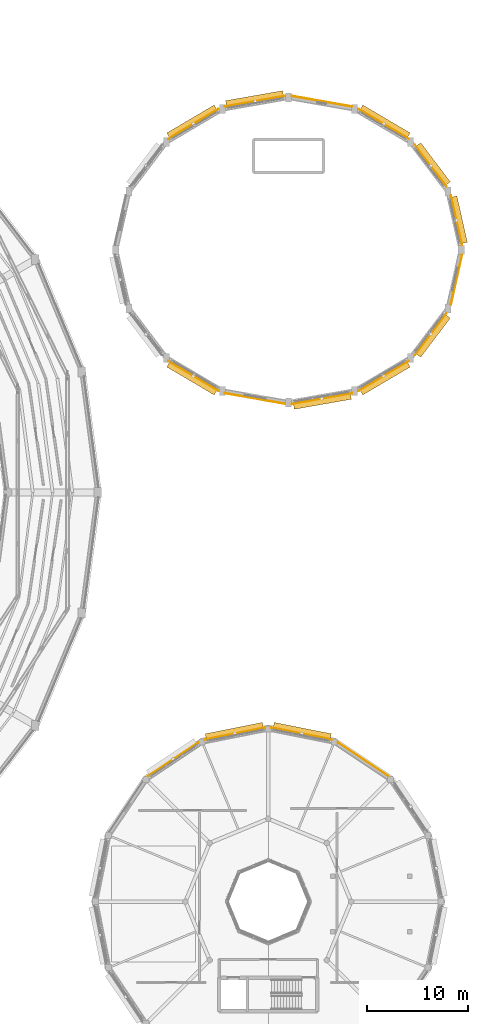
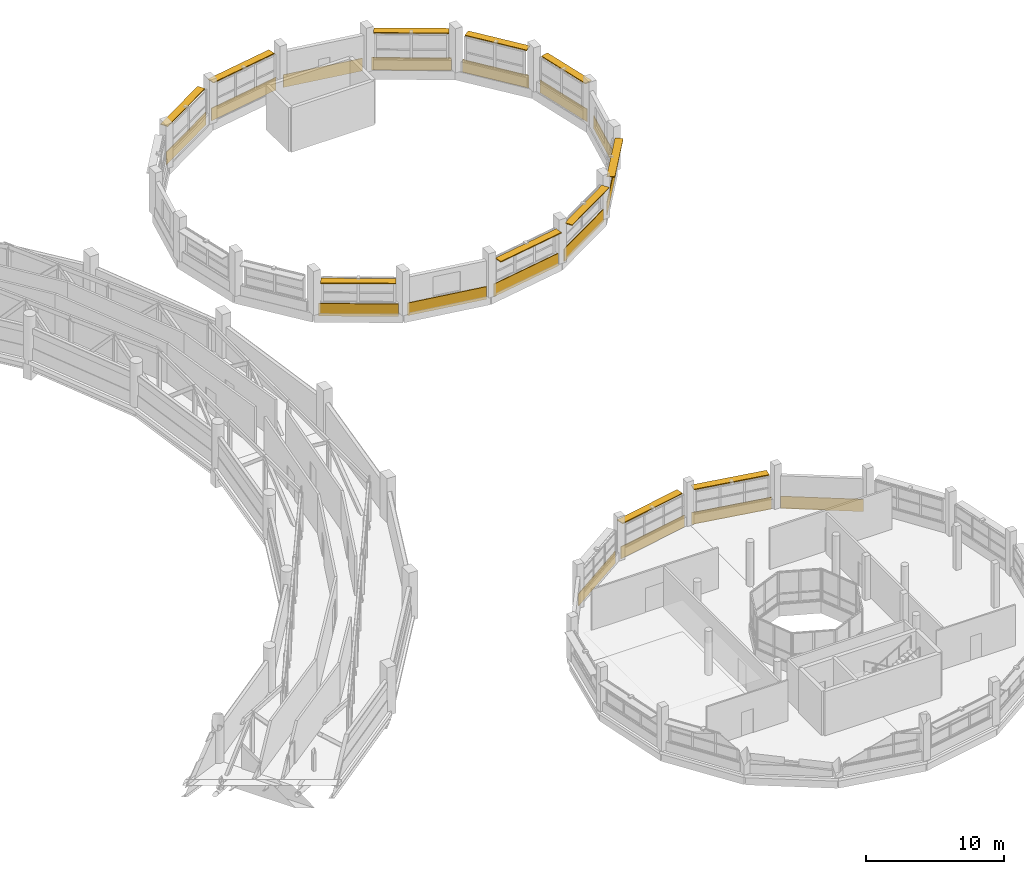
# One storey, part 121 of 121: 16 coverings, 11 shading devices.
"""IFC4 building model written with IfcOpenShell, lengths in metres."""

from ifc_helpers import new_model, si_unit, direction, frame, frame_2d, origin, origin_2d, place, context, subcontext, project, spatial, rectangle, extrude, material, layer, layer_set, type_object, element, save


model = new_model("IFC4")

# Units and contexts
model_context = context("Model", 3, precision=1e-05, world=origin(), true_north=direction((0.0, 1.0)))
body_context = subcontext(model_context, "Body", "Model", "MODEL_VIEW")
ifc_project = project(units=[si_unit("LENGTHUNIT", "METRE"), si_unit("AREAUNIT", "SQUARE_METRE"), si_unit("VOLUMEUNIT", "CUBIC_METRE"), si_unit("PLANEANGLEUNIT", "RADIAN"), si_unit("MASSUNIT", "GRAM", prefix="KILO")], contexts=[model_context])

# Site, building, storey
site_placement = place(None, origin())
site = spatial("IfcSite", under=ifc_project, at=site_placement, CompositionType="ELEMENT")
building_placement = place(site_placement, origin())
building = spatial("IfcBuilding", under=site, at=building_placement, Name="Vespera Passage Community Centre", CompositionType="ELEMENT")
storey_placement = place(building_placement, frame((0.0, 0.0, 8.699951171875)))
storey = spatial("IfcBuildingStorey", under=building, at=storey_placement, Name="L02", CompositionType="ELEMENT", Elevation=8.699951171875)

# Coverings
ifc_material_1 = material(Name="Precast concrete f'c 40 MPa", Category="concrete")
ifc_layer = layer(ifc_material_1, 0.06005859375)
ifc_layer_set = layer_set([ifc_layer], Name="Precast concrete f'c 40 MPa")
covering_type = type_object("IfcCoveringType", Name="COV-CLAD-60E", PredefinedType="CLADDING", material=ifc_layer_set)
covering_1_placement = place(storey_placement, frame((159.07958984375, 94.894775390625, -0.260009765625), z_axis=(0.0, 0.0, 1.0), x_axis=(0.219734171438, -0.975559784894, 0.0)))
element("IfcCovering", 1, at=covering_1_placement, inside=storey, type_object=covering_type, Name="V2 L02 White Spandrel Band 1", PredefinedType="CLADDING", context=body_context, shape_type="SweptSolid", body=[
    extrude(rectangle(XDim=5.051025390625, YDim=0.06005859375, at=frame_2d((2.525390625, 0.0))), origin(), (0.0, 0.0, 1.0), 1.110107421875),
])
covering_2_placement = place(storey_placement, frame((155.52783203125, 99.915283203125, -0.260009765625), z_axis=(0.0, 0.0, 1.0), x_axis=(0.603398282319, -0.797439974477, 0.0)))
element("IfcCovering", 2, at=covering_2_placement, inside=storey, type_object=covering_type, Name="V2 L02 White Spandrel Band 2", PredefinedType="CLADDING", context=body_context, shape_type="SweptSolid", body=[
    extrude(rectangle(XDim=5.19873046875, YDim=0.06005859375, at=frame_2d((2.599365234375, 0.0))), origin(), (0.0, 0.0, 1.0), 1.110107421875),
])
covering_3_placement = place(storey_placement, frame((149.9189453125, 103.449951171875, -0.260009765625), z_axis=(0.0, 0.0, 1.0), x_axis=(0.861246761334, -0.508186989297, 0.0)))
element("IfcCovering", 3, at=covering_3_placement, inside=storey, type_object=covering_type, Name="V2 L02 White Spandrel Band 3", PredefinedType="CLADDING", context=body_context, shape_type="SweptSolid", body=[
    extrude(rectangle(XDim=5.794677734375, YDim=0.06005859375, at=frame_2d((2.8974609375, 0.0))), origin(), (0.0, 0.0, 1.0), 1.110107421875),
])
for number, where, z_axis, x_axis, name in (
    (4, (143.308349609375, 104.73876953125, -0.260009765625), (0.0, 0.0, 1.0), (0.984920582468, -0.173007069888, 0.0), "V2 L02 White Sill Band 4"),
    (5, (136.698486328125, 103.68603515625, -0.260009765625), (0.0, 0.0, 1.0), (0.984920582468, 0.173007069888, 0.0), "V2 L02 White Spandrel Band 5"),
):
    element("IfcCovering", number, at=place(storey_placement, frame(where, z_axis=z_axis, x_axis=x_axis)), inside=storey, type_object=covering_type, Name=name, PredefinedType="CLADDING", context=body_context, shape_type="SweptSolid", body=[
        extrude(rectangle(XDim=6.0849609375, YDim=0.06005859375, at=frame_2d((3.04248046875, 0.0))), origin(), (0.0, 0.0, 1.0), 1.110107421875),
    ])
for number, where, z_axis, x_axis, name in (
    (6, (131.09033203125, 100.505126953125, -0.260009765625), (0.0, 0.0, 1.0), (0.861246761334, 0.508186989297, 0.0), "V2 L02 White Spandrel Band 6"),
    (7, (136.0810546875, 75.550048828125, -0.260009765625), (0.0, 0.0, 1.0), (-0.861246761334, 0.508186989297, 0.0), "V2 L02 White Spandrel Band 11"),
):
    element("IfcCovering", number, at=place(storey_placement, frame(where, z_axis=z_axis, x_axis=x_axis)), inside=storey, type_object=covering_type, Name=name, PredefinedType="CLADDING", context=body_context, shape_type="SweptSolid", body=[
        extrude(rectangle(XDim=5.794677734375, YDim=0.06005859375, at=frame_2d((2.8974609375, 0.0))), origin(), (0.0, 0.0, 1.0), 1.110107421875),
    ])
for number, where, z_axis, x_axis, name in (
    (8, (142.691650390625, 74.26123046875, -0.260009765625), (0.0, 0.0, 1.0), (-0.984920582468, 0.173007069888, 0.0), "V2 L02 White Sill Band 12"),
    (9, (149.301513671875, 75.31396484375, -0.260009765625), (0.0, 0.0, 1.0), (-0.984920582468, -0.173007069888, 0.0), "V2 L02 White Spandrel Band 13"),
):
    element("IfcCovering", number, at=place(storey_placement, frame(where, z_axis=z_axis, x_axis=x_axis)), inside=storey, type_object=covering_type, Name=name, PredefinedType="CLADDING", context=body_context, shape_type="SweptSolid", body=[
        extrude(rectangle(XDim=6.0849609375, YDim=0.06005859375, at=frame_2d((3.04248046875, 0.0))), origin(), (0.0, 0.0, 1.0), 1.110107421875),
    ])
covering_4_placement = place(storey_placement, frame((154.90966796875, 78.494873046875, -0.260009765625), z_axis=(0.0, 0.0, 1.0), x_axis=(-0.861246761334, -0.508186989297, 0.0)))
element("IfcCovering", 10, at=covering_4_placement, inside=storey, type_object=covering_type, Name="V2 L02 White Spandrel Band 14", PredefinedType="CLADDING", context=body_context, shape_type="SweptSolid", body=[
    extrude(rectangle(XDim=5.794677734375, YDim=0.06005859375, at=frame_2d((2.8974609375, 0.0))), origin(), (0.0, 0.0, 1.0), 1.110107421875),
])
covering_5_placement = place(storey_placement, frame((158.664794921875, 83.23046875, -0.260009765625), z_axis=(0.0, 0.0, 1.0), x_axis=(-0.603398282319, -0.797439974477, 0.0)))
element("IfcCovering", 11, at=covering_5_placement, inside=storey, type_object=covering_type, Name="V2 L02 White Spandrel Band 15", PredefinedType="CLADDING", context=body_context, shape_type="SweptSolid", body=[
    extrude(rectangle(XDim=5.19873046875, YDim=0.06005859375, at=frame_2d((2.599365234375, 0.0))), origin(), (0.0, 0.0, 1.0), 1.110107421875),
])
covering_6_placement = place(storey_placement, frame((160.189453125, 89.03271484375, -0.260009765625), z_axis=(0.0, 0.0, 1.0), x_axis=(-0.219734171438, -0.975559784894, 0.0)))
element("IfcCovering", 12, at=covering_6_placement, inside=storey, type_object=covering_type, Name="V2 L02 White Sill Band 16", PredefinedType="CLADDING", context=body_context, shape_type="SweptSolid", body=[
    extrude(rectangle(XDim=5.051025390625, YDim=0.06005859375, at=frame_2d((2.525390625, 0.0))), origin(), (0.0, 0.0, 1.0), 1.110107421875),
])
covering_7_placement = place(storey_placement, frame((147.91748046875, 40.753173828125, -0.260009765625), z_axis=(0.0, 0.0, 1.0), x_axis=(0.831467707354, -0.555573083966, 0.0)))
element("IfcCovering", 13, at=covering_7_placement, inside=storey, type_object=covering_type, Name="V3 L02 White Sill Band 3", PredefinedType="CLADDING", context=body_context, shape_type="SweptSolid", body=[
    extrude(rectangle(XDim=6.00048828125, YDim=0.06005859375, at=frame_2d((3.000244140625, 0.0))), origin(), (0.0, 0.0, 1.0), 1.080078125),
])
for number, where, z_axis, x_axis, name in (
    (14, (141.30859375, 42.2119140625, -0.260009765625), (0.0, 0.0, 1.0), (0.98078300119, -0.195101780047, 0.0), "V3 L02 White Spandrel Band 4"),
    (15, (134.698486328125, 41.019775390625, -0.260009765625), (0.0, 0.0, 1.0), (0.98078300119, 0.195101780047, 0.0), "V3 L02 White Spandrel Band 5"),
):
    element("IfcCovering", number, at=place(storey_placement, frame(where, z_axis=z_axis, x_axis=x_axis)), inside=storey, type_object=covering_type, Name=name, PredefinedType="CLADDING", context=body_context, shape_type="SweptSolid", body=[
        extrude(rectangle(XDim=6.1103515625, YDim=0.06005859375, at=frame_2d((3.05517578125, 0.0))), origin(), (0.0, 0.0, 1.0), 1.06005859375),
    ])
covering_8_placement = place(storey_placement, frame((129.09326171875, 37.41943359375, -0.260009765625), z_axis=(0.0, 0.0, 1.0), x_axis=(0.831467707354, 0.555573083966, 0.0)))
element("IfcCovering", 16, at=covering_8_placement, inside=storey, type_object=covering_type, Name="V3 L02 White Spandrel Band 6", PredefinedType="CLADDING", context=body_context, shape_type="SweptSolid", body=[
    extrude(rectangle(XDim=6.00048828125, YDim=0.06005859375, at=frame_2d((3.000244140625, 0.0))), origin(), (0.0, 0.0, 1.0), 1.06005859375),
])

# Shading devices
ifc_material_2 = material(Name="Anodized aluminium 6063-T6", Category="aluminium")
shading_device_type = type_object("IfcShadingDeviceType", Name="SHD-EYEBROW", PredefinedType="JALOUSIE", material=ifc_material_2)
shading_device_1_placement = place(storey_placement, frame((159.89794921875, 92.490234375, 2.97509765625), z_axis=(0.0, 0.0, 1.0), x_axis=(0.219744045409, -0.975557560838, 0.0)))
element("IfcShadingDevice", 17, at=shading_device_1_placement, inside=storey, type_object=shading_device_type, Name="V2 L02 Solar Eyebrow 1", PredefinedType="JALOUSIE", context=body_context, shape_type="SweptSolid", body=[
    extrude(rectangle(XDim=4.70068359375, YDim=0.60009765625, at=origin_2d()), origin(), (0.0, 0.0, 1.0), 0.080078125),
])
shading_device_2_placement = place(storey_placement, frame((157.311767578125, 98.005615234375, 2.97509765625), z_axis=(0.0, 0.0, 1.0), x_axis=(0.603402856255, -0.7974365135, 0.0)))
element("IfcShadingDevice", 18, at=shading_device_2_placement, inside=storey, type_object=shading_device_type, Name="V2 L02 Solar Eyebrow 2", PredefinedType="JALOUSIE", context=body_context, shape_type="SweptSolid", body=[
    extrude(rectangle(XDim=4.848876953125, YDim=0.60009765625, at=origin_2d()), origin(), (0.0, 0.0, 1.0), 0.080078125),
])
shading_device_3_placement = place(storey_placement, frame((152.551513671875, 102.210205078125, 2.97509765625), z_axis=(0.0, 0.0, 1.0), x_axis=(0.861248014559, -0.508184865396, 0.0)))
element("IfcShadingDevice", 19, at=shading_device_3_placement, inside=storey, type_object=shading_device_type, Name="V2 L02 Solar Eyebrow 3", PredefinedType="JALOUSIE", context=body_context, shape_type="SweptSolid", body=[
    extrude(rectangle(XDim=5.444580078125, YDim=0.60009765625, at=origin_2d()), origin(), (0.0, 0.0, 1.0), 0.080078125),
])
shading_device_4_placement = place(storey_placement, frame((139.6484375, 104.478515625, 2.97509765625), z_axis=(0.0, 0.0, 1.0), x_axis=(0.984922704244, 0.172994990288, 0.0)))
element("IfcShadingDevice", 20, at=shading_device_4_placement, inside=storey, type_object=shading_device_type, Name="V2 L02 Solar Eyebrow 5", PredefinedType="JALOUSIE", context=body_context, shape_type="SweptSolid", body=[
    extrude(rectangle(XDim=5.73486328125, YDim=0.60009765625, at=origin_2d()), origin(), (0.0, 0.0, 1.0), 0.080078125),
])
for number, where, z_axis, x_axis, name in (
    (21, (133.448486328125, 102.210205078125, 2.97509765625), (0.0, 0.0, 1.0), (0.861248014559, 0.508184865396, 0.0), "V2 L02 Solar Eyebrow 6"),
    (22, (133.448486328125, 76.789794921875, 2.97509765625), (0.0, 0.0, 1.0), (-0.861248014559, 0.508184865396, 0.0), "V2 L02 Solar Eyebrow 11"),
):
    element("IfcShadingDevice", number, at=place(storey_placement, frame(where, z_axis=z_axis, x_axis=x_axis)), inside=storey, type_object=shading_device_type, Name=name, PredefinedType="JALOUSIE", context=body_context, shape_type="SweptSolid", body=[
        extrude(rectangle(XDim=5.444580078125, YDim=0.60009765625, at=origin_2d()), origin(), (0.0, 0.0, 1.0), 0.080078125),
    ])
shading_device_5_placement = place(storey_placement, frame((146.3515625, 74.521484375, 2.97509765625), z_axis=(0.0, 0.0, 1.0), x_axis=(-0.984922704244, -0.172994990288, 0.0)))
element("IfcShadingDevice", 23, at=shading_device_5_placement, inside=storey, type_object=shading_device_type, Name="V2 L02 Solar Eyebrow 13", PredefinedType="JALOUSIE", context=body_context, shape_type="SweptSolid", body=[
    extrude(rectangle(XDim=5.73486328125, YDim=0.60009765625, at=origin_2d()), origin(), (0.0, 0.0, 1.0), 0.080078125),
])
shading_device_6_placement = place(storey_placement, frame((152.551513671875, 76.789794921875, 2.97509765625), z_axis=(0.0, 0.0, 1.0), x_axis=(-0.861248014559, -0.508184865396, 0.0)))
element("IfcShadingDevice", 24, at=shading_device_6_placement, inside=storey, type_object=shading_device_type, Name="V2 L02 Solar Eyebrow 14", PredefinedType="JALOUSIE", context=body_context, shape_type="SweptSolid", body=[
    extrude(rectangle(XDim=5.444580078125, YDim=0.60009765625, at=origin_2d()), origin(), (0.0, 0.0, 1.0), 0.080078125),
])
shading_device_7_placement = place(storey_placement, frame((157.311767578125, 80.994384765625, 2.97509765625), z_axis=(0.0, 0.0, 1.0), x_axis=(-0.603402856255, -0.7974365135, 0.0)))
element("IfcShadingDevice", 25, at=shading_device_7_placement, inside=storey, type_object=shading_device_type, Name="V2 L02 Solar Eyebrow 15", PredefinedType="JALOUSIE", context=body_context, shape_type="SweptSolid", body=[
    extrude(rectangle(XDim=4.848876953125, YDim=0.60009765625, at=origin_2d()), origin(), (0.0, 0.0, 1.0), 0.080078125),
])
for number, where, z_axis, x_axis, name in (
    (26, (144.35791015625, 41.880615234375, 2.7451171875), (0.0, 0.0, 1.0), (0.980785280403, -0.195090322016, 0.0), "V3 L02 Solar Eyebrow 4"),
    (27, (137.64208984375, 41.880615234375, 2.7451171875), (0.0, 0.0, 1.0), (0.980785280403, 0.195090322016, 0.0), "V3 L02 Solar Eyebrow 5"),
):
    element("IfcShadingDevice", number, at=place(storey_placement, frame(where, z_axis=z_axis, x_axis=x_axis)), inside=storey, type_object=shading_device_type, Name=name, PredefinedType="JALOUSIE", context=body_context, shape_type="SweptSolid", body=[
        extrude(rectangle(XDim=5.76025390625, YDim=0.60009765625, at=origin_2d()), origin(), (0.0, 0.0, 1.0), 0.080078125),
    ])

save(model, "model.ifc")
